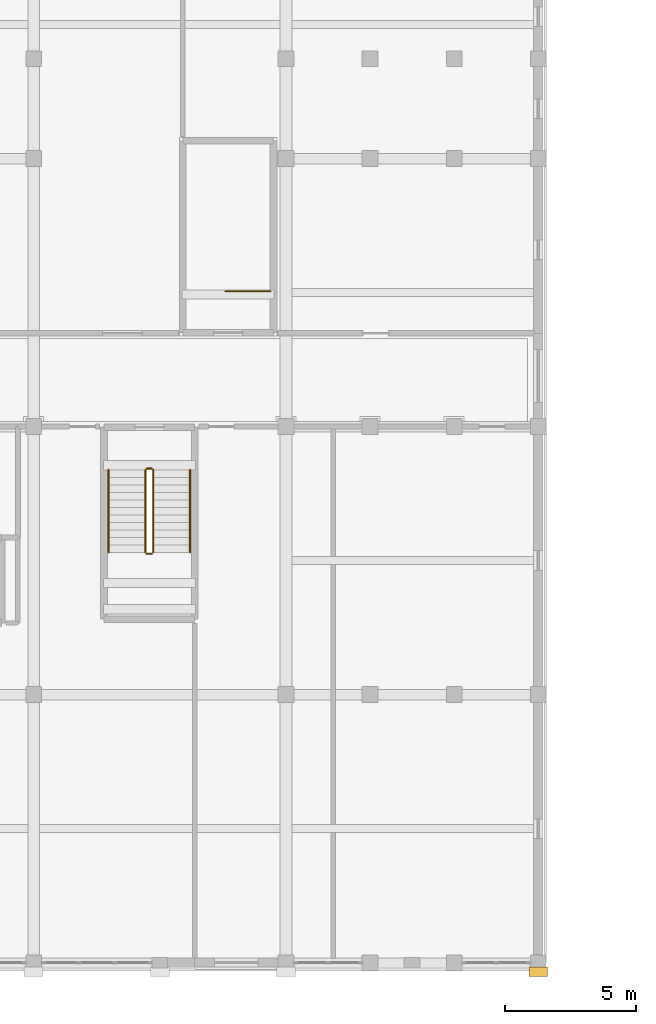
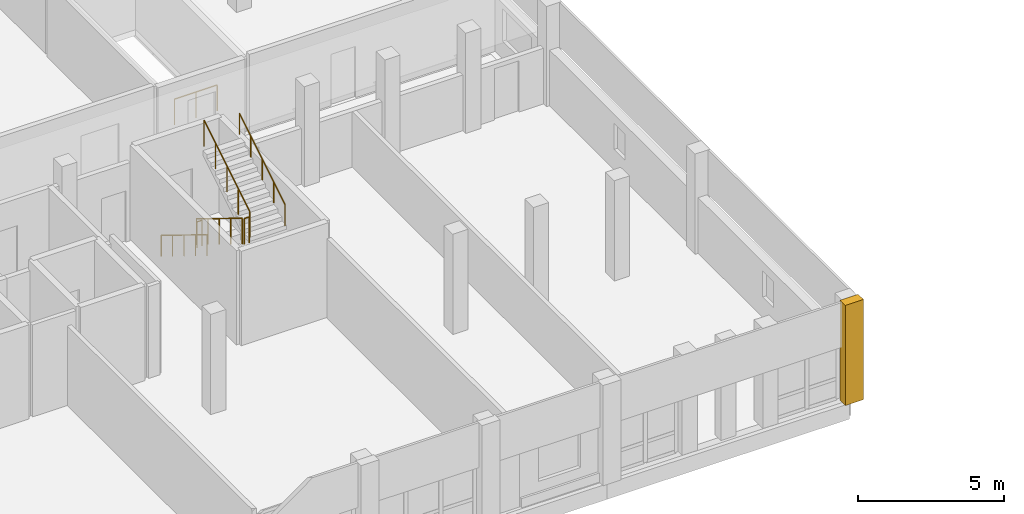
# One storey, part 90 of 93: 7 railings, 1 covering.
"""IFC4 building model written with IfcOpenShell, lengths in metres."""

from ifc_helpers import new_model, si_unit, direction, frame, origin, origin_2d, place, context, subcontext, project, spatial, rectangle, circle, extrude, material, layer, layer_set, type_object, element, save


model = new_model("IFC4")

# Units and contexts
model_context = context("Model", 3, precision=1e-05, world=origin(), true_north=direction((0.0, 1.0)))
body_context = subcontext(model_context, "Body", "Model", "MODEL_VIEW")
ifc_project = project(units=[si_unit("LENGTHUNIT", "METRE"), si_unit("AREAUNIT", "SQUARE_METRE"), si_unit("VOLUMEUNIT", "CUBIC_METRE"), si_unit("PLANEANGLEUNIT", "RADIAN"), si_unit("MASSUNIT", "GRAM", prefix="KILO")], contexts=[model_context])

# Site, building, storey
site_placement = place(None, origin())
site = spatial("IfcSite", under=ifc_project, at=site_placement, CompositionType="ELEMENT")
building_placement = place(site_placement, origin())
building = spatial("IfcBuilding", under=site, at=building_placement, Name="Vondelvale Polytechnic", CompositionType="ELEMENT")
storey_placement = place(building_placement, frame((0.0, 0.0, 18.0)))
storey = spatial("IfcBuildingStorey", under=building, at=storey_placement, Name="L04", CompositionType="ELEMENT", Elevation=18.0)

# Covering
ifc_material_1 = material(Name="Amsterdam School iron-spot clinker clay brickwork", Category="masonry")
ifc_layer_1 = layer(ifc_material_1, 0.090087890625)
ifc_layer_set_1 = layer_set([ifc_layer_1], Name="COV-BRICK-RELIEF")
covering_type = type_object("IfcCoveringType", Name="COV-BRICK-RELIEF", PredefinedType="CLADDING", material=ifc_layer_set_1)
covering_placement = place(storey_placement, frame((48.0, -0.340087890625, 0.0), z_axis=(0.0, 0.0, 1.0), x_axis=(1.0, 0.0, 0.0)))
element("IfcCovering", 1, at=covering_placement, inside=storey, type_object=covering_type, Name="L04 Classical street pilaster", PredefinedType="CLADDING", context=body_context, shape_type="SweptSolid", body=[
    extrude(rectangle(XDim=0.719970703125, YDim=0.360107421875, at=origin_2d()), origin(), (0.0, 0.0, 1.0), 4.199951171875),
])

# Railings
ifc_material_2 = material(Name="Brushed architectural stainless and zinc-coated metal")
ifc_layer_2 = layer(ifc_material_2, 0.050048828125)
ifc_layer_set_2 = layer_set([ifc_layer_2], Name="RL-STAIR-GUARD")
railing_type_1 = type_object("IfcRailingType", Name="RL-STAIR-GUARD", PredefinedType="GUARDRAIL", material=ifc_layer_set_2)
railing_1_placement = place(storey_placement, frame((33.050048828125, 18.75, 0.175048828125)))
element("IfcRailing", 2, at=railing_1_placement, inside=storey, type_object=railing_type_1, Name="L04 ST-04 stair guard 1", PredefinedType="GUARDRAIL", context=body_context, shape_type="SweptSolid", body=[
    extrude(circle(Radius=0.02392578125, at=origin_2d()), frame((0.0, 0.0, 1.076171875), z_axis=(0.0, -0.852166034122, 0.523271488128), x_axis=(1.0, 0.0, 0.0)), (0.0, 0.0, 1.0), 3.678955078125),
    extrude(circle(Radius=0.02099609375, at=origin_2d()), origin(), (0.0, 0.0, 1.0), 1.052001953125),
    extrude(circle(Radius=0.02099609375, at=origin_2d()), frame((0.0, -0.78369140625, 0.481201171875)), (0.0, 0.0, 1.0), 1.052001953125),
    extrude(circle(Radius=0.02099609375, at=origin_2d()), frame((0.0, -1.5673828125, 0.96240234375)), (0.0, 0.0, 1.0), 1.052001953125),
    extrude(circle(Radius=0.02099609375, at=origin_2d()), frame((0.0, -2.351318359375, 1.44384765625)), (0.0, 0.0, 1.0), 1.052001953125),
    extrude(circle(Radius=0.02099609375, at=origin_2d()), frame((0.0, -3.135009765625, 1.925048828125)), (0.0, 0.0, 1.0), 1.052001953125),
])
railing_2_placement = place(storey_placement, frame((33.10009765625, 15.56494140625, 2.10009765625)))
element("IfcRailing", 3, at=railing_2_placement, inside=storey, type_object=railing_type_1, Name="L04 ST-04 stair guard 2", PredefinedType="GUARDRAIL", context=body_context, shape_type="SweptSolid", body=[
    extrude(circle(Radius=0.02392578125, at=origin_2d()), frame((0.0, 0.0, 1.076171875), z_axis=(1.0, 0.0, 0.0), x_axis=(0.0, 1.0, 0.0)), (0.0, 0.0, 1.0), 0.199951171875),
    extrude(circle(Radius=0.02099609375, at=origin_2d()), origin(), (0.0, 0.0, 1.0), 1.052001953125),
    extrude(circle(Radius=0.02099609375, at=origin_2d()), frame((0.199951171875, 0.0, 0.0)), (0.0, 0.0, 1.0), 1.052001953125),
])
railing_3_placement = place(storey_placement, frame((33.35009765625, 15.614990234375, 2.27490234375)))
element("IfcRailing", 4, at=railing_3_placement, inside=storey, type_object=railing_type_1, Name="L04 ST-04 stair guard 3", PredefinedType="GUARDRAIL", context=body_context, shape_type="SweptSolid", body=[
    extrude(circle(Radius=0.02392578125, at=origin_2d()), frame((0.0, 0.0, 1.076171875), z_axis=(0.0, 0.852166034122, 0.523271488128), x_axis=(-1.0, 0.0, 0.0)), (0.0, 0.0, 1.0), 3.678955078125),
    extrude(circle(Radius=0.02099609375, at=origin_2d()), origin(), (0.0, 0.0, 1.0), 1.052001953125),
    extrude(circle(Radius=0.02099609375, at=origin_2d()), frame((0.0, 0.78369140625, 0.481201171875)), (0.0, 0.0, 1.0), 1.052001953125),
    extrude(circle(Radius=0.02099609375, at=origin_2d()), frame((0.0, 1.5673828125, 0.96240234375)), (0.0, 0.0, 1.0), 1.052001953125),
    extrude(circle(Radius=0.02099609375, at=origin_2d()), frame((0.0, 2.351318359375, 1.44384765625)), (0.0, 0.0, 1.0), 1.052001953125),
    extrude(circle(Radius=0.02099609375, at=origin_2d()), frame((0.0, 3.135009765625, 1.925048828125)), (0.0, 0.0, 1.0), 1.052001953125),
])
railing_4_placement = place(storey_placement, frame((33.10009765625, 18.800048828125, 0.0)))
element("IfcRailing", 5, at=railing_4_placement, inside=storey, type_object=railing_type_1, Name="L04 ST-04 stair guard 4", PredefinedType="GUARDRAIL", context=body_context, shape_type="SweptSolid", body=[
    extrude(circle(Radius=0.02392578125, at=origin_2d()), frame((0.0, 0.0, 1.076171875), z_axis=(1.0, 0.0, 0.0), x_axis=(0.0, 1.0, 0.0)), (0.0, 0.0, 1.0), 0.199951171875),
    extrude(circle(Radius=0.02099609375, at=origin_2d()), origin(), (0.0, 0.0, 1.0), 1.052001953125),
    extrude(circle(Radius=0.02099609375, at=origin_2d()), frame((0.199951171875, 0.0, 0.0)), (0.0, 0.0, 1.0), 1.052001953125),
])
railing_5_placement = place(storey_placement, frame((37.800048828125, 25.550048828125, 0.0)))
element("IfcRailing", 6, at=railing_5_placement, inside=storey, type_object=railing_type_1, Name="L04 ST-05 top well guard 1", PredefinedType="GUARDRAIL", context=body_context, shape_type="SweptSolid", body=[
    extrude(circle(Radius=0.02392578125, at=origin_2d()), frame((0.0, 0.0, 1.076171875), z_axis=(-1.0, 0.0, 0.0), x_axis=(0.0, -1.0, 0.0)), (0.0, 0.0, 1.0), 1.699951171875),
    extrude(circle(Radius=0.02099609375, at=origin_2d()), origin(), (0.0, 0.0, 1.0), 1.052001953125),
    extrude(circle(Radius=0.02099609375, at=origin_2d()), frame((-0.85009765625, 0.0, 0.0)), (0.0, 0.0, 1.0), 1.052001953125),
    extrude(circle(Radius=0.02099609375, at=origin_2d()), frame((-1.699951171875, 0.0, 0.0)), (0.0, 0.0, 1.0), 1.052001953125),
])
ifc_layer_3 = layer(ifc_material_2, 0.048095703125)
ifc_layer_set_3 = layer_set([ifc_layer_3], Name="RL-STAIR-HANDRAIL")
railing_type_2 = type_object("IfcRailingType", Name="RL-STAIR-HANDRAIL", PredefinedType="HANDRAIL", material=ifc_layer_set_3)
railing_6_placement = place(storey_placement, frame((31.64990234375, 18.75, 0.175048828125)))
element("IfcRailing", 7, at=railing_6_placement, inside=storey, type_object=railing_type_2, Name="L04 ST-04 stair handrail 1", PredefinedType="HANDRAIL", context=body_context, shape_type="SweptSolid", body=[
    extrude(circle(Radius=0.02392578125, at=origin_2d()), frame((0.0, 0.0, 0.8759765625), z_axis=(0.0, -0.852166034122, 0.523271488128), x_axis=(1.0, 0.0, 0.0)), (0.0, 0.0, 1.0), 3.678955078125),
    extrude(circle(Radius=0.02099609375, at=origin_2d()), origin(), (0.0, 0.0, 1.0), 0.851806640625),
    extrude(circle(Radius=0.02099609375, at=origin_2d()), frame((0.0, -0.78369140625, 0.481201171875)), (0.0, 0.0, 1.0), 0.851806640625),
    extrude(circle(Radius=0.02099609375, at=origin_2d()), frame((0.0, -1.5673828125, 0.96240234375)), (0.0, 0.0, 1.0), 0.851806640625),
    extrude(circle(Radius=0.02099609375, at=origin_2d()), frame((0.0, -2.351318359375, 1.44384765625)), (0.0, 0.0, 1.0), 0.851806640625),
    extrude(circle(Radius=0.02099609375, at=origin_2d()), frame((0.0, -3.135009765625, 1.925048828125)), (0.0, 0.0, 1.0), 0.851806640625),
])
railing_7_placement = place(storey_placement, frame((34.75, 15.614990234375, 2.27490234375)))
element("IfcRailing", 8, at=railing_7_placement, inside=storey, type_object=railing_type_2, Name="L04 ST-04 stair handrail 2", PredefinedType="HANDRAIL", context=body_context, shape_type="SweptSolid", body=[
    extrude(circle(Radius=0.02392578125, at=origin_2d()), frame((0.0, 0.0, 0.8759765625), z_axis=(0.0, 0.852166034122, 0.523271488128), x_axis=(-1.0, 0.0, 0.0)), (0.0, 0.0, 1.0), 3.678955078125),
    extrude(circle(Radius=0.02099609375, at=origin_2d()), origin(), (0.0, 0.0, 1.0), 0.851806640625),
    extrude(circle(Radius=0.02099609375, at=origin_2d()), frame((0.0, 0.78369140625, 0.481201171875)), (0.0, 0.0, 1.0), 0.851806640625),
    extrude(circle(Radius=0.02099609375, at=origin_2d()), frame((0.0, 1.5673828125, 0.96240234375)), (0.0, 0.0, 1.0), 0.851806640625),
    extrude(circle(Radius=0.02099609375, at=origin_2d()), frame((0.0, 2.351318359375, 1.44384765625)), (0.0, 0.0, 1.0), 0.851806640625),
    extrude(circle(Radius=0.02099609375, at=origin_2d()), frame((0.0, 3.135009765625, 1.925048828125)), (0.0, 0.0, 1.0), 0.851806640625),
])

save(model, "model.ifc")
